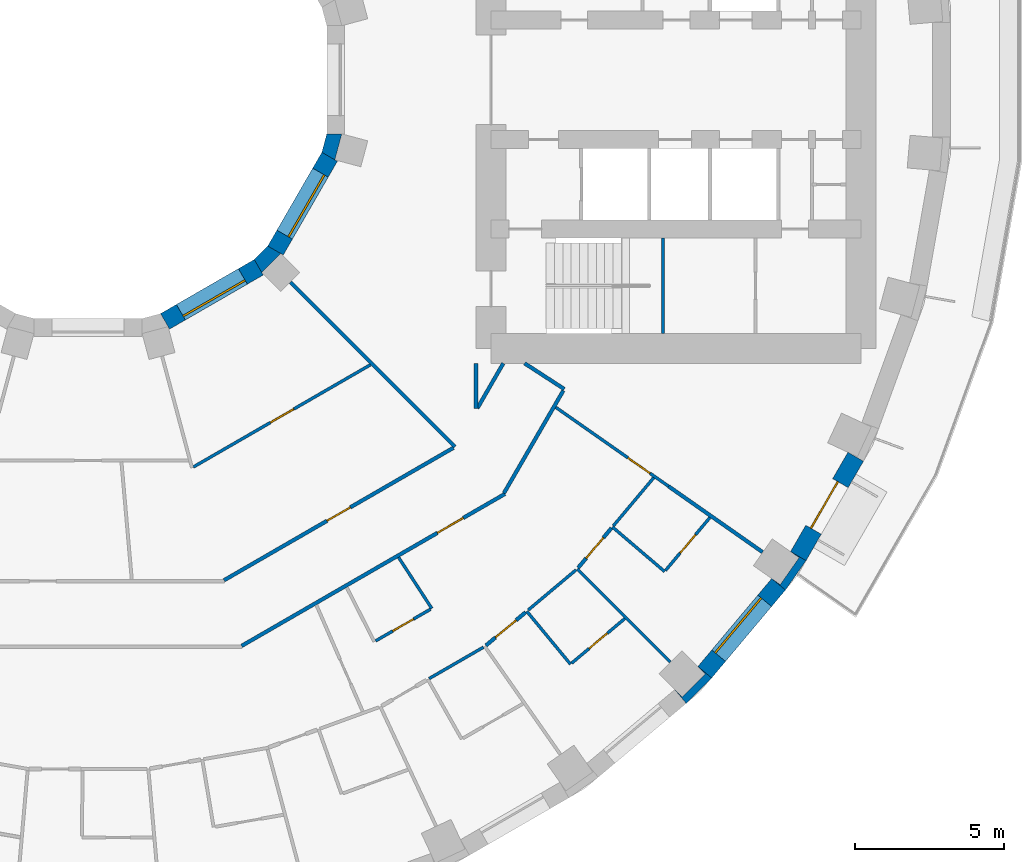
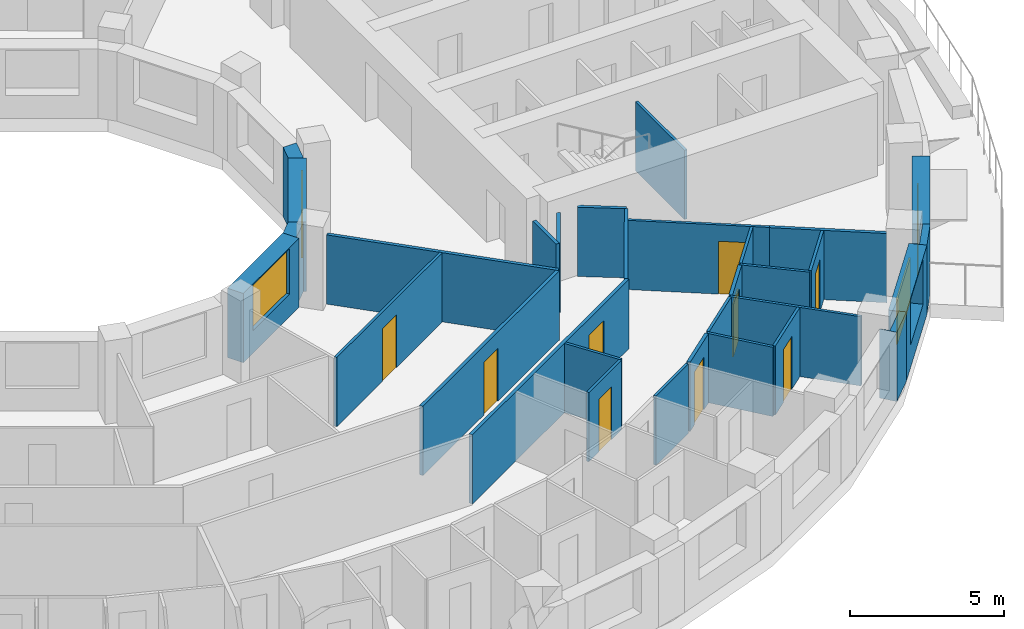
# One storey, part 6 of 14: 31 walls, 10 doors, 3 windows, 13 openings.
"""IFC4 building model written with IfcOpenShell, lengths in metres."""

from ifc_helpers import new_model, si_unit, direction, frame, frame_2d, origin, place, context, subcontext, project, spatial, polyline, rectangle, outline, extrude, material, layer, layer_set, type_object, element, fill, save


model = new_model("IFC4")

# Units and contexts
model_context = context("Model", 3, precision=1e-05, world=origin(), true_north=direction((0.0, 1.0)))
body_context = subcontext(model_context, "Body", "Model", "MODEL_VIEW")
ifc_project = project(units=[si_unit("LENGTHUNIT", "METRE"), si_unit("AREAUNIT", "SQUARE_METRE"), si_unit("VOLUMEUNIT", "CUBIC_METRE"), si_unit("PLANEANGLEUNIT", "RADIAN"), si_unit("MASSUNIT", "GRAM", prefix="KILO")], contexts=[model_context])

# Site, building, storey
site_placement = place(None, origin())
site = spatial("IfcSite", under=ifc_project, at=site_placement, CompositionType="ELEMENT")
building_placement = place(site_placement, origin())
building = spatial("IfcBuilding", under=site, at=building_placement, Name="Saqina Gate Tower", CompositionType="ELEMENT")
storey_placement = place(building_placement, frame((0.0, 0.0, 46.10009765625)))
storey = spatial("IfcBuildingStorey", under=building, at=storey_placement, Name="L12", CompositionType="ELEMENT", Elevation=46.10009765625)

# Walls
ifc_material_1 = material(Name="Brick masonry (red)", Category="masonry")
wall_type_1 = type_object("IfcWallType", Name="BRICK PIER COPING RED", PredefinedType="SOLIDWALL", material=ifc_material_1)
wall_1_placement = place(storey_placement, origin())
element("IfcWall", 1, at=wall_1_placement, inside=storey, type_object=wall_type_1, Name="Pier cap L12 column 32", PredefinedType="SOLIDWALL", context=body_context, shape_type="SweptSolid", body=[
    extrude(outline(polyline([(20.894775390625, -20.04296875), (20.43505859375, -19.6572265625), (20.682861328125, -19.905029296875), (19.905029296875, -20.682861328125), (19.6572265625, -20.43505859375), (20.04296875, -20.894775390625), (20.894775390625, -20.04296875)])), origin(), (0.0, 0.0, 1.0), 2.75),
])
wall_2_placement = place(storey_placement, origin())
element("IfcWall", 2, at=wall_2_placement, inside=storey, type_object=wall_type_1, Name="Pier cap L12 column 33", PredefinedType="SOLIDWALL", context=body_context, shape_type="SweptSolid", body=[
    extrude(outline(polyline([(23.36669921875, -17.096923828125), (24.0576171875, -16.110107421875), (23.5380859375, -15.81005859375), (23.8251953125, -16.010986328125), (23.194091796875, -16.912109375), (22.9072265625, -16.711181640625), (23.36669921875, -17.096923828125)])), origin(), (0.0, 0.0, 1.0), 2.75),
])

# Wall, opening, window
ifc_material_2 = material(Name="Brick masonry (red)", Category="masonry")
ifc_layer_1 = layer(ifc_material_2, 0.60009765625)
ifc_layer_set_1 = layer_set([ifc_layer_1], Name="FW-BRICK-RED")
wall_type_2 = type_object("IfcWallType", Name="FW-BRICK-RED", PredefinedType="SOLIDWALL", material=ifc_layer_set_1)
wall_3_placement = place(storey_placement, frame((20.664794921875, -19.85009765625, 0.0), z_axis=(0.0, 0.0, 1.0), x_axis=(0.642809392687, 0.766026164483, 0.0)))
wall_3 = element("IfcWall", 3, at=wall_3_placement, inside=storey, type_object=wall_type_2, Name="Facade wall L12 facet 32", PredefinedType="SOLIDWALL", context=body_context, shape_type="SweptSolid", body=[
    extrude(rectangle(XDim=3.845947265625, YDim=0.60009765625, at=frame_2d((1.9228515625, 0.0))), origin(), (0.0, 0.0, 1.0), 2.75),
])
opening_1_placement = place(wall_3_placement, frame((0.722900390625, 0.0, 0.89990234375)))
opening_1 = element("IfcOpeningElement", 4, at=opening_1_placement, cuts=wall_3, Name="Opening G03-W25", PredefinedType="OPENING", context=body_context, shape_type="SweptSolid", body=[
    extrude(rectangle(XDim=2.39990234375, YDim=1.800048828125, at=frame_2d((1.199951171875, 0.89990234375))), frame((0.0, 0.31201171875, 0.0), z_axis=(0.0, -1.0, 0.0), x_axis=(1.0, 0.0, 0.0)), (0.0, 0.0, 1.0), 0.6240234375),
])
ifc_material_3 = material(Name="Aluminium glazing", Category="aluminium")
window_type_1 = type_object("IfcWindowType", Name="WN-A", PartitioningType="SINGLE_PANEL", PredefinedType="WINDOW", material=ifc_material_3)
window_1_placement = place(opening_1_placement, origin())
window_1 = element("IfcWindow", 5, at=window_1_placement, inside=storey, type_object=window_type_1, Name="Window L12 facet 32", OverallHeight=1.800048828125, OverallWidth=2.39990234375, PartitioningType="SINGLE_PANEL", PredefinedType="WINDOW", context=body_context, shape_type="SweptSolid", body=[
    extrude(rectangle(XDim=2.39990234375, YDim=1.800048828125, at=frame_2d((1.199951171875, 0.89990234375))), frame((0.0, 0.179931640625, 0.0), z_axis=(0.0, -1.0, 0.0), x_axis=(1.0, 0.0, 0.0)), (0.0, 0.0, 1.0), 0.06005859375),
])
fill(opening_1, window_1)

# Wall, opening, door
wall_4_placement = place(storey_placement, frame((23.7978515625, -15.960205078125, 0.0), z_axis=(0.0, 0.0, 1.0), x_axis=(0.499989888488, 0.86603124159, 0.0)))
wall_4 = element("IfcWall", 6, at=wall_4_placement, inside=storey, type_object=wall_type_2, Name="Facade wall L12 facet 33", PredefinedType="SOLIDWALL", context=body_context, shape_type="SweptSolid", body=[
    extrude(rectangle(XDim=3.845703125, YDim=0.60009765625, at=frame_2d((1.9228515625, 0.0))), origin(), (0.0, 0.0, 1.0), 2.75),
])
opening_2_placement = place(wall_4_placement, frame((1.02294921875, 0.0, 0.0)))
opening_2 = element("IfcOpeningElement", 7, at=opening_2_placement, cuts=wall_4, Name="Opening G03-D80", PredefinedType="OPENING", context=body_context, shape_type="SweptSolid", body=[
    extrude(rectangle(XDim=1.800048828125, YDim=2.39990234375, at=frame_2d((0.89990234375, 1.199951171875))), frame((0.0, 0.31201171875, 0.0), z_axis=(0.0, -1.0, 0.0), x_axis=(1.0, 0.0, 0.0)), (0.0, 0.0, 1.0), 0.6240234375),
])
ifc_material_4 = material(Name="Aluminium glazing", Category="aluminium")
door_type_1 = type_object("IfcDoorType", Name="GD-A", OperationType="DOUBLE_DOOR_SINGLE_SWING", PredefinedType="DOOR", material=ifc_material_4)
door_1_placement = place(opening_2_placement, frame((1.800048828125, 0.0, 0.0), z_axis=(0.0, 0.0, 1.0), x_axis=(-1.0, 0.0, 0.0)))
door_1 = element("IfcDoor", 8, at=door_1_placement, inside=storey, type_object=door_type_1, Name="Terrace door L12 facet 33", OperationType="DOUBLE_DOOR_SINGLE_SWING", OverallHeight=2.39990234375, OverallWidth=1.800048828125, PredefinedType="DOOR", context=body_context, shape_type="SweptSolid", body=[
    extrude(rectangle(XDim=1.800048828125, YDim=2.39990234375, at=frame_2d((0.89990234375, 1.199951171875))), frame((0.0, -0.0751953125, 0.0), z_axis=(0.0, -1.0, 0.0), x_axis=(1.0, 0.0, 0.0)), (0.0, 0.0, 1.0), 0.050048828125),
])
fill(opening_2, door_1)

# Wall, opening, window
ifc_material_5 = material(Name="Glazed ceramic tile", Category="ceramic")
ifc_layer_2 = layer(ifc_material_5, 0.60009765625)
ifc_layer_set_2 = layer_set([ifc_layer_2], Name="IW-TILE")
wall_type_3 = type_object("IfcWallType", Name="IW-TILE", PredefinedType="SOLIDWALL", material=ifc_layer_set_2)
wall_5_placement = place(storey_placement, frame((2.580322265625, -8.09423828125, 0.0), z_axis=(0.0, 0.0, 1.0), x_axis=(0.866029693906, 0.499992569217, 0.0)))
wall_5 = element("IfcWall", 9, at=wall_5_placement, inside=storey, type_object=wall_type_3, Name="Well wall L12 facet 10", PredefinedType="SOLIDWALL", context=body_context, shape_type="SweptSolid", body=[
    extrude(rectangle(XDim=3.625, YDim=0.60009765625, at=frame_2d((1.8125, 0.0))), origin(), (0.0, 0.0, 1.0), 2.75),
])
opening_3_placement = place(wall_5_placement, frame((0.612548828125, 0.0, 0.89990234375)))
opening_3 = element("IfcOpeningElement", 10, at=opening_3_placement, cuts=wall_5, Name="Opening G03-W35", PredefinedType="OPENING", context=body_context, shape_type="SweptSolid", body=[
    extrude(rectangle(XDim=2.39990234375, YDim=1.800048828125, at=frame_2d((1.199951171875, 0.89990234375))), frame((0.0, 0.31201171875, 0.0), z_axis=(0.0, -1.0, 0.0), x_axis=(1.0, 0.0, 0.0)), (0.0, 0.0, 1.0), 0.6240234375),
])
ifc_material_6 = material(Name="Aluminium glazing", Category="aluminium")
window_type_2 = type_object("IfcWindowType", Name="WN-W", PartitioningType="SINGLE_PANEL", PredefinedType="WINDOW", material=ifc_material_6)
window_2_placement = place(opening_3_placement, origin())
window_2 = element("IfcWindow", 11, at=window_2_placement, inside=storey, type_object=window_type_2, Name="Well window L12 facet 10", OverallHeight=1.800048828125, OverallWidth=2.39990234375, PartitioningType="SINGLE_PANEL", PredefinedType="WINDOW", context=body_context, shape_type="SweptSolid", body=[
    extrude(rectangle(XDim=2.39990234375, YDim=1.800048828125, at=frame_2d((1.199951171875, 0.89990234375))), frame((0.0, -0.119873046875, 0.0), z_axis=(0.0, -1.0, 0.0), x_axis=(1.0, 0.0, 0.0)), (0.0, 0.0, 1.0), 0.06005859375),
])
fill(opening_3, window_2)

wall_6_placement = place(storey_placement, frame((6.28173828125, -5.7197265625, 0.0), z_axis=(0.0, 0.0, 1.0), x_axis=(0.499992569217, 0.866029693906, 0.0)))
wall_6 = element("IfcWall", 12, at=wall_6_placement, inside=storey, type_object=wall_type_3, Name="Well wall L12 facet 11", PredefinedType="SOLIDWALL", context=body_context, shape_type="SweptSolid", body=[
    extrude(rectangle(XDim=3.625, YDim=0.60009765625, at=frame_2d((1.8125, 0.0))), origin(), (0.0, 0.0, 1.0), 2.75),
])
opening_4_placement = place(wall_6_placement, frame((0.612548828125, 0.0, 0.89990234375)))
opening_4 = element("IfcOpeningElement", 13, at=opening_4_placement, cuts=wall_6, Name="Opening G03-W36", PredefinedType="OPENING", context=body_context, shape_type="SweptSolid", body=[
    extrude(rectangle(XDim=2.39990234375, YDim=1.800048828125, at=frame_2d((1.199951171875, 0.89990234375))), frame((0.0, 0.31201171875, 0.0), z_axis=(0.0, -1.0, 0.0), x_axis=(1.0, 0.0, 0.0)), (0.0, 0.0, 1.0), 0.6240234375),
])
window_3_placement = place(opening_4_placement, origin())
window_3 = element("IfcWindow", 14, at=window_3_placement, inside=storey, type_object=window_type_2, Name="Well window L12 facet 11", OverallHeight=1.800048828125, OverallWidth=2.39990234375, PartitioningType="SINGLE_PANEL", PredefinedType="WINDOW", context=body_context, shape_type="SweptSolid", body=[
    extrude(rectangle(XDim=2.39990234375, YDim=1.800048828125, at=frame_2d((1.199951171875, 0.89990234375))), frame((0.0, -0.119873046875, 0.0), z_axis=(0.0, -1.0, 0.0), x_axis=(1.0, 0.0, 0.0)), (0.0, 0.0, 1.0), 0.06005859375),
])
fill(opening_4, window_3)

# Walls
ifc_material_7 = material(Name="Gypsum board on steel studs, 100 mm", Category="steel")
ifc_layer_3 = layer(ifc_material_7, 0.10009765625)
ifc_layer_set_3 = layer_set([ifc_layer_3], Name="PARTITION 100")
wall_type_4 = type_object("IfcWallType", Name="PARTITION 100", PredefinedType="PARTITIONING", material=ifc_layer_set_3)
wall_7_placement = place(storey_placement, frame((10.406005859375, -16.00341796875, 0.0), z_axis=(0.0, 0.0, 1.0), x_axis=(0.545026202076, -0.838419011623, 0.0)))
element("IfcWall", 15, at=wall_7_placement, inside=storey, type_object=wall_type_4, Name="PARTITION PW3-23", PredefinedType="PARTITIONING", context=body_context, shape_type="SweptSolid", body=[
    extrude(rectangle(XDim=2.040283203125, YDim=0.10009765625, at=frame_2d((1.02001953125, 0.0))), origin(), (0.0, 0.0, 1.0), 2.75),
])
wall_8_placement = place(storey_placement, frame((14.699951171875, -17.806884765625, 0.0), z_axis=(0.0, 0.0, 1.0), x_axis=(0.636700344293, -0.771111322428, 0.0)))
element("IfcWall", 16, at=wall_8_placement, inside=storey, type_object=wall_type_4, Name="PARTITION PW3-27", PredefinedType="PARTITIONING", context=body_context, shape_type="SweptSolid", body=[
    extrude(rectangle(XDim=2.299560546875, YDim=0.10009765625, at=frame_2d((1.14990234375, 0.0))), origin(), (0.0, 0.0, 1.0), 2.75),
])
wall_9_placement = place(storey_placement, frame((16.388916015625, -16.388916015625, 0.0), z_axis=(0.0, 0.0, 1.0), x_axis=(0.707106781187, -0.707106781187, 0.0)))
element("IfcWall", 17, at=wall_9_placement, inside=storey, type_object=wall_type_4, Name="PARTITION PW3-34", PredefinedType="PARTITIONING", context=body_context, shape_type="SweptSolid", body=[
    extrude(rectangle(XDim=4.41259765625, YDim=0.10009765625, at=frame_2d((2.206298828125, 0.0))), origin(), (0.0, 0.0, 1.0), 2.75),
])
wall_10_placement = place(storey_placement, frame((17.569091796875, -14.98291015625, 0.0), z_axis=(0.0, 0.0, 1.0), x_axis=(0.760722977127, -0.649076691979, 0.0)))
element("IfcWall", 18, at=wall_10_placement, inside=storey, type_object=wall_type_4, Name="PARTITION PW3-37", PredefinedType="PARTITIONING", context=body_context, shape_type="SweptSolid", body=[
    extrude(rectangle(XDim=2.300537109375, YDim=0.10009765625, at=frame_2d((1.150390625, 0.0))), origin(), (0.0, 0.0, 1.0), 2.75),
])

# Wall, opening, door
wall_11_placement = place(storey_placement, frame((15.674560546875, -10.9755859375, 0.0), z_axis=(0.0, 0.0, 1.0), x_axis=(0.819202093006, -0.573504952737, 0.0)))
wall_11 = element("IfcWall", 19, at=wall_11_placement, inside=storey, type_object=wall_type_4, Name="PARTITION PW3-42", PredefinedType="PARTITIONING", context=body_context, shape_type="SweptSolid", body=[
    extrude(rectangle(XDim=4.614501953125, YDim=0.10009765625, at=frame_2d((2.30712890625, 0.0))), origin(), (0.0, 0.0, 1.0), 2.75),
])
opening_5_placement = place(wall_11_placement, frame((2.94921875, 0.0, 0.0)))
opening_5 = element("IfcOpeningElement", 20, at=opening_5_placement, cuts=wall_11, Name="Opening G03-D75", PredefinedType="OPENING", context=body_context, shape_type="SweptSolid", body=[
    extrude(rectangle(XDim=0.89990234375, YDim=2.10009765625, at=frame_2d((0.449951171875, 1.050048828125))), frame((0.0, 0.06201171875, 0.0), z_axis=(0.0, -1.0, 0.0), x_axis=(1.0, 0.0, 0.0)), (0.0, 0.0, 1.0), 0.1240234375),
])
ifc_material_8 = material(Name="Timber door leaf, 900 mm", Category="wood")
door_type_2 = type_object("IfcDoorType", Name="DOOR 900 TIMBER", OperationType="SINGLE_SWING_LEFT", PredefinedType="DOOR", material=ifc_material_8)
door_2_placement = place(opening_5_placement, origin())
door_2 = element("IfcDoor", 21, at=door_2_placement, inside=storey, type_object=door_type_2, Name="DOOR G03-D75", OperationType="SINGLE_SWING_RIGHT", OverallHeight=2.10009765625, OverallWidth=0.89990234375, PredefinedType="DOOR", context=body_context, shape_type="SweptSolid", body=[
    extrude(rectangle(XDim=0.89990234375, YDim=2.10009765625, at=frame_2d((0.449951171875, 1.050048828125))), frame((0.0, 0.02490234375, 0.0), z_axis=(0.0, -1.0, 0.0), x_axis=(1.0, 0.0, 0.0)), (0.0, 0.0, 1.0), 0.050048828125),
])
fill(opening_5, door_2)

# Wall
wall_12_placement = place(storey_placement, frame((11.42822265625, -20.06396484375, 0.0), z_axis=(0.0, 0.0, 1.0), x_axis=(0.865870655861, 0.50026793553, 0.0)))
element("IfcWall", 22, at=wall_12_placement, inside=storey, type_object=wall_type_4, Name="PARTITION PW3-80", PredefinedType="PARTITIONING", context=body_context, shape_type="SweptSolid", body=[
    extrude(rectangle(XDim=2.104736328125, YDim=0.10009765625, at=frame_2d((1.05224609375, 0.0))), origin(), (0.0, 0.0, 1.0), 2.75),
])

# Wall, opening, door
wall_13_placement = place(storey_placement, frame((9.63525390625, -18.801025390625, 0.0), z_axis=(0.0, 0.0, 1.0), x_axis=(0.866013304951, 0.500020955208, 0.0)))
wall_13 = element("IfcWall", 23, at=wall_13_placement, inside=storey, type_object=wall_type_4, Name="PARTITION PW3-81", PredefinedType="PARTITIONING", context=body_context, shape_type="SweptSolid", body=[
    extrude(rectangle(XDim=2.1240234375, YDim=0.10009765625, at=frame_2d((1.06201171875, 0.0))), origin(), (0.0, 0.0, 1.0), 2.75),
])
opening_6_placement = place(wall_13_placement, frame((0.662109375, 0.0, 0.0)))
opening_6 = element("IfcOpeningElement", 24, at=opening_6_placement, cuts=wall_13, Name="Opening G03-D68", PredefinedType="OPENING", context=body_context, shape_type="SweptSolid", body=[
    extrude(rectangle(XDim=0.800048828125, YDim=2.10009765625, at=frame_2d((0.39990234375, 1.050048828125))), frame((0.0, 0.06201171875, 0.0), z_axis=(0.0, -1.0, 0.0), x_axis=(1.0, 0.0, 0.0)), (0.0, 0.0, 1.0), 0.1240234375),
])
ifc_material_9 = material(Name="Timber door leaf, 800 mm", Category="wood")
door_type_3 = type_object("IfcDoorType", Name="DOOR 800 TIMBER", OperationType="SINGLE_SWING_LEFT", PredefinedType="DOOR", material=ifc_material_9)
door_3_placement = place(opening_6_placement, frame((0.800048828125, 0.0, 0.0), z_axis=(0.0, 0.0, 1.0), x_axis=(-1.0, 0.0, 0.0)))
door_3 = element("IfcDoor", 25, at=door_3_placement, inside=storey, type_object=door_type_3, Name="DOOR G03-D68", OperationType="SINGLE_SWING_LEFT", OverallHeight=2.10009765625, OverallWidth=0.800048828125, PredefinedType="DOOR", context=body_context, shape_type="SweptSolid", body=[
    extrude(rectangle(XDim=0.800048828125, YDim=2.10009765625, at=frame_2d((0.39990234375, 1.050048828125))), frame((0.0, 0.02490234375, 0.0), z_axis=(0.0, -1.0, 0.0), x_axis=(1.0, 0.0, 0.0)), (0.0, 0.0, 1.0), 0.050048828125),
])
fill(opening_6, door_3)

wall_14_placement = place(storey_placement, frame((3.5263671875, -12.97509765625, 0.0), z_axis=(0.0, 0.0, 1.0), x_axis=(0.866069342035, 0.499923888995, 0.0)))
wall_14 = element("IfcWall", 26, at=wall_14_placement, inside=storey, type_object=wall_type_4, Name="PARTITION PW3-82", PredefinedType="PARTITIONING", context=body_context, shape_type="SweptSolid", body=[
    extrude(rectangle(XDim=6.8544921875, YDim=0.10009765625, at=frame_2d((3.42724609375, 0.0))), origin(), (0.0, 0.0, 1.0), 2.75),
])
opening_7_placement = place(wall_14_placement, frame((2.9833984375, 0.0, 0.0)))
opening_7 = element("IfcOpeningElement", 27, at=opening_7_placement, cuts=wall_14, Name="Opening G03-D66", PredefinedType="OPENING", context=body_context, shape_type="SweptSolid", body=[
    extrude(rectangle(XDim=0.89990234375, YDim=2.10009765625, at=frame_2d((0.449951171875, 1.050048828125))), frame((0.0, 0.06201171875, 0.0), z_axis=(0.0, -1.0, 0.0), x_axis=(1.0, 0.0, 0.0)), (0.0, 0.0, 1.0), 0.1240234375),
])
door_4_placement = place(opening_7_placement, frame((0.89990234375, 0.0, 0.0), z_axis=(0.0, 0.0, 1.0), x_axis=(-1.0, 0.0, 0.0)))
door_4 = element("IfcDoor", 28, at=door_4_placement, inside=storey, type_object=door_type_2, Name="DOOR G03-D66", OperationType="SINGLE_SWING_LEFT", OverallHeight=2.10009765625, OverallWidth=0.89990234375, PredefinedType="DOOR", context=body_context, shape_type="SweptSolid", body=[
    extrude(rectangle(XDim=0.89990234375, YDim=2.10009765625, at=frame_2d((0.449951171875, 1.050048828125))), frame((0.0, 0.02490234375, 0.0), z_axis=(0.0, -1.0, 0.0), x_axis=(1.0, 0.0, 0.0)), (0.0, 0.0, 1.0), 0.050048828125),
])
fill(opening_7, door_4)

wall_15_placement = place(storey_placement, frame((16.202392578125, -19.5478515625, 0.0), z_axis=(0.0, 0.0, 1.0), x_axis=(0.766254925891, 0.642536682648, 0.0)))
wall_15 = element("IfcWall", 29, at=wall_15_placement, inside=storey, type_object=wall_type_4, Name="PARTITION PW3-92", PredefinedType="PARTITIONING", context=body_context, shape_type="SweptSolid", body=[
    extrude(rectangle(XDim=2.32470703125, YDim=0.10009765625, at=frame_2d((1.162353515625, 0.0))), origin(), (0.0, 0.0, 1.0), 2.75),
])
opening_8_placement = place(wall_15_placement, frame((0.762451171875, 0.0, 0.0)))
opening_8 = element("IfcOpeningElement", 30, at=opening_8_placement, cuts=wall_15, Name="Opening G03-D72", PredefinedType="OPENING", context=body_context, shape_type="SweptSolid", body=[
    extrude(rectangle(XDim=0.800048828125, YDim=2.10009765625, at=frame_2d((0.39990234375, 1.050048828125))), frame((0.0, 0.06201171875, 0.0), z_axis=(0.0, -1.0, 0.0), x_axis=(1.0, 0.0, 0.0)), (0.0, 0.0, 1.0), 0.1240234375),
])
door_5_placement = place(opening_8_placement, frame((0.800048828125, 0.0, 0.0), z_axis=(0.0, 0.0, 1.0), x_axis=(-1.0, 0.0, 0.0)))
door_5 = element("IfcDoor", 31, at=door_5_placement, inside=storey, type_object=door_type_3, Name="DOOR G03-D72", OperationType="SINGLE_SWING_LEFT", OverallHeight=2.10009765625, OverallWidth=0.800048828125, PredefinedType="DOOR", context=body_context, shape_type="SweptSolid", body=[
    extrude(rectangle(XDim=0.800048828125, YDim=2.10009765625, at=frame_2d((0.39990234375, 1.050048828125))), frame((0.0, 0.02490234375, 0.0), z_axis=(0.0, -1.0, 0.0), x_axis=(1.0, 0.0, 0.0)), (0.0, 0.0, 1.0), 0.050048828125),
])
fill(opening_8, door_5)

# Wall
wall_16_placement = place(storey_placement, frame((14.747802734375, -17.766845703125, 0.0), z_axis=(0.0, 0.0, 1.0), x_axis=(0.765854222204, 0.643014238048, 0.0)))
element("IfcWall", 32, at=wall_16_placement, inside=storey, type_object=wall_type_4, Name="PARTITION PW3-93", PredefinedType="PARTITIONING", context=body_context, shape_type="SweptSolid", body=[
    extrude(rectangle(XDim=2.0927734375, YDim=0.10009765625, at=frame_2d((1.04638671875, 0.0))), origin(), (0.0, 0.0, 1.0), 2.75),
])

# Wall, opening, door
wall_17_placement = place(storey_placement, frame((19.35107421875, -16.437744140625, 0.0), z_axis=(0.0, 0.0, 1.0), x_axis=(0.642780417595, 0.766050477943, 0.0)))
wall_17 = element("IfcWall", 33, at=wall_17_placement, inside=storey, type_object=wall_type_4, Name="PARTITION PW3-101", PredefinedType="PARTITIONING", context=body_context, shape_type="SweptSolid", body=[
    extrude(rectangle(XDim=2.309326171875, YDim=0.10009765625, at=frame_2d((1.15478515625, 0.0))), origin(), (0.0, 0.0, 1.0), 2.75),
])
opening_9_placement = place(wall_17_placement, frame((0.761962890625, 0.0, 0.0)))
opening_9 = element("IfcOpeningElement", 34, at=opening_9_placement, cuts=wall_17, Name="Opening G03-D74", PredefinedType="OPENING", context=body_context, shape_type="SweptSolid", body=[
    extrude(rectangle(XDim=0.800048828125, YDim=2.10009765625, at=frame_2d((0.39990234375, 1.050048828125))), frame((0.0, 0.06201171875, 0.0), z_axis=(0.0, -1.0, 0.0), x_axis=(1.0, 0.0, 0.0)), (0.0, 0.0, 1.0), 0.1240234375),
])
door_6_placement = place(opening_9_placement, frame((0.800048828125, 0.0, 0.0), z_axis=(0.0, 0.0, 1.0), x_axis=(-1.0, 0.0, 0.0)))
door_6 = element("IfcDoor", 35, at=door_6_placement, inside=storey, type_object=door_type_3, Name="DOOR G03-D74", OperationType="SINGLE_SWING_LEFT", OverallHeight=2.10009765625, OverallWidth=0.800048828125, PredefinedType="DOOR", context=body_context, shape_type="SweptSolid", body=[
    extrude(rectangle(XDim=0.800048828125, YDim=2.10009765625, at=frame_2d((0.39990234375, 1.050048828125))), frame((0.0, 0.02490234375, 0.0), z_axis=(0.0, -1.0, 0.0), x_axis=(1.0, 0.0, 0.0)), (0.0, 0.0, 1.0), 0.050048828125),
])
fill(opening_9, door_6)

# Walls
wall_18_placement = place(storey_placement, frame((17.60107421875, -14.944580078125, 0.0), z_axis=(0.0, 0.0, 1.0), x_axis=(0.642816551594, 0.766020157043, 0.0)))
element("IfcWall", 36, at=wall_18_placement, inside=storey, type_object=wall_type_4, Name="PARTITION PW3-102", PredefinedType="PARTITIONING", context=body_context, shape_type="SweptSolid", body=[
    extrude(rectangle(XDim=2.1044921875, YDim=0.10009765625, at=frame_2d((1.05224609375, 0.0))), origin(), (0.0, 0.0, 1.0), 2.75),
])
ifc_material_10 = material(Name="Gypsum board on steel studs, 125 mm, fire rated", Category="steel")
ifc_layer_4 = layer(ifc_material_10, 0.125)
ifc_layer_set_4 = layer_set([ifc_layer_4], Name="PARTITION EI 30 125")
wall_type_5 = type_object("IfcWallType", Name="PARTITION EI 30 125", PredefinedType="PARTITIONING", material=ifc_layer_set_4)
wall_19_placement = place(storey_placement, frame((6.78271484375, -6.78271484375, 0.0), z_axis=(0.0, 0.0, 1.0), x_axis=(0.707106781187, -0.707106781187, 0.0)))
element("IfcWall", 37, at=wall_19_placement, inside=storey, type_object=wall_type_5, Name="PARTITION PW1-07", PredefinedType="PARTITIONING", context=body_context, shape_type="SweptSolid", body=[
    extrude(rectangle(XDim=7.7998046875, YDim=0.125, at=frame_2d((3.89990234375, 0.0))), origin(), (0.0, 0.0, 1.0), 2.75),
])
wall_20_placement = place(storey_placement, frame((19.4541015625, -13.623291015625, 0.0), z_axis=(0.0, 0.0, 1.0), x_axis=(0.819318529686, -0.573338597091, 0.0)))
element("IfcWall", 38, at=wall_20_placement, inside=storey, type_object=wall_type_5, Name="PARTITION PW1-09", PredefinedType="PARTITIONING", context=body_context, shape_type="SweptSolid", body=[
    extrude(rectangle(XDim=3.840087890625, YDim=0.125, at=frame_2d((1.919921875, 0.0))), origin(), (0.0, 0.0, 1.0), 2.75),
])
wall_21_placement = place(storey_placement, frame((14.62890625, -9.5, 0.0), z_axis=(0.0, 0.0, 1.0), x_axis=(0.838795721465, -0.544446267002, 0.0)))
element("IfcWall", 39, at=wall_21_placement, inside=storey, type_object=wall_type_5, Name="PARTITION PW1-11", PredefinedType="PARTITIONING", context=body_context, shape_type="SweptSolid", body=[
    extrude(rectangle(XDim=1.583251953125, YDim=0.125, at=frame_2d((0.79150390625, 0.0))), origin(), (0.0, 0.0, 1.0), 2.75),
])

# Wall, opening, door
wall_22_placement = place(storey_placement, frame((5.14501953125, -18.96875, 0.0), z_axis=(0.0, 0.0, 1.0), x_axis=(0.866035198373, 0.499983034892, 0.0)))
wall_22 = element("IfcWall", 40, at=wall_22_placement, inside=storey, type_object=wall_type_5, Name="PARTITION PW1-36", PredefinedType="PARTITIONING", context=body_context, shape_type="SweptSolid", body=[
    extrude(rectangle(XDim=10.191650390625, YDim=0.125, at=frame_2d((5.095703125, 0.0))), origin(), (0.0, 0.0, 1.0), 2.75),
])
opening_10_placement = place(wall_22_placement, frame((7.577392578125, 0.0, 0.0)))
opening_10 = element("IfcOpeningElement", 41, at=opening_10_placement, cuts=wall_22, Name="Opening G03-D71", PredefinedType="OPENING", context=body_context, shape_type="SweptSolid", body=[
    extrude(rectangle(XDim=1.0, YDim=2.10009765625, at=frame_2d((0.5, 1.050048828125))), frame((0.0, 0.074462890625, 0.0), z_axis=(0.0, -1.0, 0.0), x_axis=(1.0, 0.0, 0.0)), (0.0, 0.0, 1.0), 0.14892578125),
])
ifc_material_11 = material(Name="Fire door leaf EI 30, 1000 mm")
door_type_4 = type_object("IfcDoorType", Name="DOOR 1000 EI 30", OperationType="SINGLE_SWING_LEFT", PredefinedType="DOOR", material=ifc_material_11)
door_7_placement = place(opening_10_placement, frame((1.0, 0.0, 0.0), z_axis=(0.0, 0.0, 1.0), x_axis=(-1.0, 0.0, 0.0)))
door_7 = element("IfcDoor", 42, at=door_7_placement, inside=storey, type_object=door_type_4, Name="DOOR G03-D71", OperationType="SINGLE_SWING_LEFT", OverallHeight=2.10009765625, OverallWidth=1.0, PredefinedType="DOOR", context=body_context, shape_type="SweptSolid", body=[
    extrude(rectangle(XDim=1.0, YDim=2.10009765625, at=frame_2d((0.5, 1.050048828125))), frame((0.0, 0.02490234375, 0.0), z_axis=(0.0, -1.0, 0.0), x_axis=(1.0, 0.0, 0.0)), (0.0, 0.0, 1.0), 0.050048828125),
])
fill(opening_10, door_7)

wall_23_placement = place(storey_placement, frame((4.55615234375, -16.768798828125, 0.0), z_axis=(0.0, 0.0, 1.0), x_axis=(0.865979941794, 0.500078734211, 0.0)))
wall_23 = element("IfcWall", 43, at=wall_23_placement, inside=storey, type_object=wall_type_5, Name="PARTITION PW1-37", PredefinedType="PARTITIONING", context=body_context, shape_type="SweptSolid", body=[
    extrude(rectangle(XDim=8.87744140625, YDim=0.125, at=frame_2d((4.438720703125, 0.0))), origin(), (0.0, 0.0, 1.0), 2.75),
])
opening_11_placement = place(wall_23_placement, frame((3.98876953125, 0.0, 0.0)))
opening_11 = element("IfcOpeningElement", 44, at=opening_11_placement, cuts=wall_23, Name="Opening G03-D67", PredefinedType="OPENING", context=body_context, shape_type="SweptSolid", body=[
    extrude(rectangle(XDim=0.89990234375, YDim=2.10009765625, at=frame_2d((0.449951171875, 1.050048828125))), frame((0.0, 0.074462890625, 0.0), z_axis=(0.0, -1.0, 0.0), x_axis=(1.0, 0.0, 0.0)), (0.0, 0.0, 1.0), 0.14892578125),
])
ifc_material_12 = material(Name="Fire door leaf EI 30, 900 mm")
door_type_5 = type_object("IfcDoorType", Name="DOOR 900 EI 30", OperationType="SINGLE_SWING_LEFT", PredefinedType="DOOR", material=ifc_material_12)
door_8_placement = place(opening_11_placement, origin())
door_8 = element("IfcDoor", 45, at=door_8_placement, inside=storey, type_object=door_type_5, Name="DOOR G03-D67", OperationType="SINGLE_SWING_RIGHT", OverallHeight=2.10009765625, OverallWidth=0.89990234375, PredefinedType="DOOR", context=body_context, shape_type="SweptSolid", body=[
    extrude(rectangle(XDim=0.89990234375, YDim=2.10009765625, at=frame_2d((0.449951171875, 1.050048828125))), frame((0.0, 0.02490234375, 0.0), z_axis=(0.0, -1.0, 0.0), x_axis=(1.0, 0.0, 0.0)), (0.0, 0.0, 1.0), 0.050048828125),
])
fill(opening_11, door_8)

wall_24_placement = place(storey_placement, frame((13.331787109375, -18.953369140625, 0.0), z_axis=(0.0, 0.0, 1.0), x_axis=(0.766881682313, 0.641788505143, 0.0)))
wall_24 = element("IfcWall", 46, at=wall_24_placement, inside=storey, type_object=wall_type_5, Name="PARTITION PW1-45", PredefinedType="PARTITIONING", context=body_context, shape_type="SweptSolid", body=[
    extrude(rectangle(XDim=1.735107421875, YDim=0.125, at=frame_2d((0.86767578125, 0.0))), origin(), (0.0, 0.0, 1.0), 2.75),
])
opening_12_placement = place(wall_24_placement, frame((0.41748046875, 0.0, 0.0)))
opening_12 = element("IfcOpeningElement", 47, at=opening_12_placement, cuts=wall_24, Name="Opening G03-D70", PredefinedType="OPENING", context=body_context, shape_type="SweptSolid", body=[
    extrude(rectangle(XDim=0.89990234375, YDim=2.10009765625, at=frame_2d((0.449951171875, 1.050048828125))), frame((0.0, 0.074462890625, 0.0), z_axis=(0.0, -1.0, 0.0), x_axis=(1.0, 0.0, 0.0)), (0.0, 0.0, 1.0), 0.14892578125),
])
door_9_placement = place(opening_12_placement, origin())
door_9 = element("IfcDoor", 48, at=door_9_placement, inside=storey, type_object=door_type_5, Name="DOOR G03-D70", OperationType="SINGLE_SWING_LEFT", OverallHeight=2.10009765625, OverallWidth=0.89990234375, PredefinedType="DOOR", context=body_context, shape_type="SweptSolid", body=[
    extrude(rectangle(XDim=0.89990234375, YDim=2.10009765625, at=frame_2d((0.449951171875, 1.050048828125))), frame((0.0, 0.02490234375, 0.0), z_axis=(0.0, -1.0, 0.0), x_axis=(1.0, 0.0, 0.0)), (0.0, 0.0, 1.0), 0.050048828125),
])
fill(opening_12, door_9)

wall_25_placement = place(storey_placement, frame((16.421142578125, -16.3505859375, 0.0), z_axis=(0.0, 0.0, 1.0), x_axis=(0.642878617967, 0.765968068891, 0.0)))
wall_25 = element("IfcWall", 49, at=wall_25_placement, inside=storey, type_object=wall_type_5, Name="PARTITION PW1-49", PredefinedType="PARTITIONING", context=body_context, shape_type="SweptSolid", body=[
    extrude(rectangle(XDim=1.735595703125, YDim=0.125, at=frame_2d((0.86767578125, 0.0))), origin(), (0.0, 0.0, 1.0), 2.75),
])
opening_13_placement = place(wall_25_placement, frame((0.417724609375, 0.0, 0.0)))
opening_13 = element("IfcOpeningElement", 50, at=opening_13_placement, cuts=wall_25, Name="Opening G03-D73", PredefinedType="OPENING", context=body_context, shape_type="SweptSolid", body=[
    extrude(rectangle(XDim=0.89990234375, YDim=2.10009765625, at=frame_2d((0.449951171875, 1.050048828125))), frame((0.0, 0.074462890625, 0.0), z_axis=(0.0, -1.0, 0.0), x_axis=(1.0, 0.0, 0.0)), (0.0, 0.0, 1.0), 0.14892578125),
])
door_10_placement = place(opening_13_placement, origin())
door_10 = element("IfcDoor", 51, at=door_10_placement, inside=storey, type_object=door_type_5, Name="DOOR G03-D73", OperationType="SINGLE_SWING_LEFT", OverallHeight=2.10009765625, OverallWidth=0.89990234375, PredefinedType="DOOR", context=body_context, shape_type="SweptSolid", body=[
    extrude(rectangle(XDim=0.89990234375, YDim=2.10009765625, at=frame_2d((0.449951171875, 1.050048828125))), frame((0.0, 0.02490234375, 0.0), z_axis=(0.0, -1.0, 0.0), x_axis=(1.0, 0.0, 0.0)), (0.0, 0.0, 1.0), 0.050048828125),
])
fill(opening_13, door_10)

# Walls
wall_26_placement = place(storey_placement, frame((13.933837890625, -13.85107421875, 0.0), z_axis=(0.0, 0.0, 1.0), x_axis=(0.501169568558, 0.865349099238, 0.0)))
element("IfcWall", 52, at=wall_26_placement, inside=storey, type_object=wall_type_5, Name="PARTITION PW1-51", PredefinedType="PARTITIONING", context=body_context, shape_type="SweptSolid", body=[
    extrude(rectangle(XDim=3.970703125, YDim=0.125, at=frame_2d((1.9853515625, 0.0))), origin(), (0.0, 0.0, 1.0), 2.75),
])
wall_27_placement = place(storey_placement, frame((13.044921875, -11.005126953125, 0.0), z_axis=(0.0, 0.0, 1.0), x_axis=(0.500066958712, 0.865986741702, 0.0)))
element("IfcWall", 53, at=wall_27_placement, inside=storey, type_object=wall_type_5, Name="PARTITION PW1-52", PredefinedType="PARTITIONING", context=body_context, shape_type="SweptSolid", body=[
    extrude(rectangle(XDim=1.738037109375, YDim=0.125, at=frame_2d((0.869140625, 0.0))), origin(), (0.0, 0.0, 1.0), 2.75),
])
wall_28_placement = place(storey_placement, frame((13.0, -11.0205078125, 0.0), z_axis=(0.0, 0.0, 1.0), x_axis=(0.0, 1.0, 0.0)))
element("IfcWall", 54, at=wall_28_placement, inside=storey, type_object=wall_type_5, Name="PARTITION PW1-56", PredefinedType="PARTITIONING", context=body_context, shape_type="SweptSolid", body=[
    extrude(rectangle(XDim=1.5205078125, YDim=0.125, at=frame_2d((0.76025390625, 0.0))), origin(), (0.0, 0.0, 1.0), 2.75),
])
ifc_material_13 = material(Name="Autoclaved aerated concrete block", Category="concrete")
ifc_layer_5 = layer(ifc_material_13, 0.10009765625)
ifc_layer_set_5 = layer_set([ifc_layer_5], Name="STAIR ENCLOSURE WALL")
wall_type_6 = type_object("IfcWallType", Name="STAIR ENCLOSURE WALL", PredefinedType="PARTITIONING", material=ifc_layer_set_5)
wall_29_placement = place(storey_placement, frame((19.27001953125, -8.5, 0.0), z_axis=(0.0, 0.0, 1.0), x_axis=(0.0, 1.0, 0.0)))
element("IfcWall", 55, at=wall_29_placement, inside=storey, type_object=wall_type_6, Name="L12-CP-E14", PredefinedType="PARTITIONING", context=body_context, shape_type="SweptSolid", body=[
    extrude(rectangle(XDim=3.199951171875, YDim=0.10009765625, at=frame_2d((1.60009765625, 0.0))), origin(), (0.0, 0.0, 1.0), 2.75),
])
ifc_material_14 = material(Name="Glazed ceramic tile", Category="ceramic")
wall_type_7 = type_object("IfcWallType", Name="TILE PIER COPING", PredefinedType="SOLIDWALL", material=ifc_material_14)
wall_30_placement = place(storey_placement, origin())
element("IfcWall", 56, at=wall_30_placement, inside=storey, type_object=wall_type_7, Name="Well pier cap L12 column 11", PredefinedType="SOLIDWALL", context=body_context, shape_type="SweptSolid", body=[
    extrude(outline(polyline([(5.821044921875, -6.45751953125), (6.45751953125, -5.821044921875), (6.02197265625, -5.569580078125), (5.569580078125, -6.02197265625), (5.821044921875, -6.45751953125)])), origin(), (0.0, 0.0, 1.0), 2.75),
])
wall_31_placement = place(storey_placement, origin())
element("IfcWall", 57, at=wall_31_placement, inside=storey, type_object=wall_type_7, Name="Well pier cap L12 column 12", PredefinedType="SOLIDWALL", context=body_context, shape_type="SweptSolid", body=[
    extrude(outline(polyline([(8.502685546875, -1.8125), (8.0, -1.8125), (7.83447265625, -2.430419921875), (8.27001953125, -2.681884765625), (8.502685546875, -1.8125)])), origin(), (0.0, 0.0, 1.0), 2.75),
])

save(model, "model.ifc")
